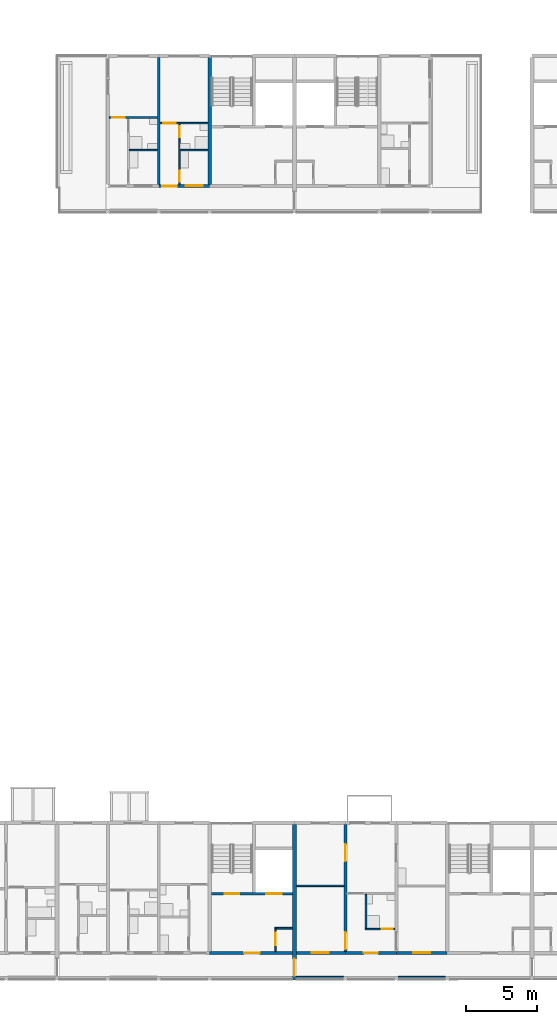
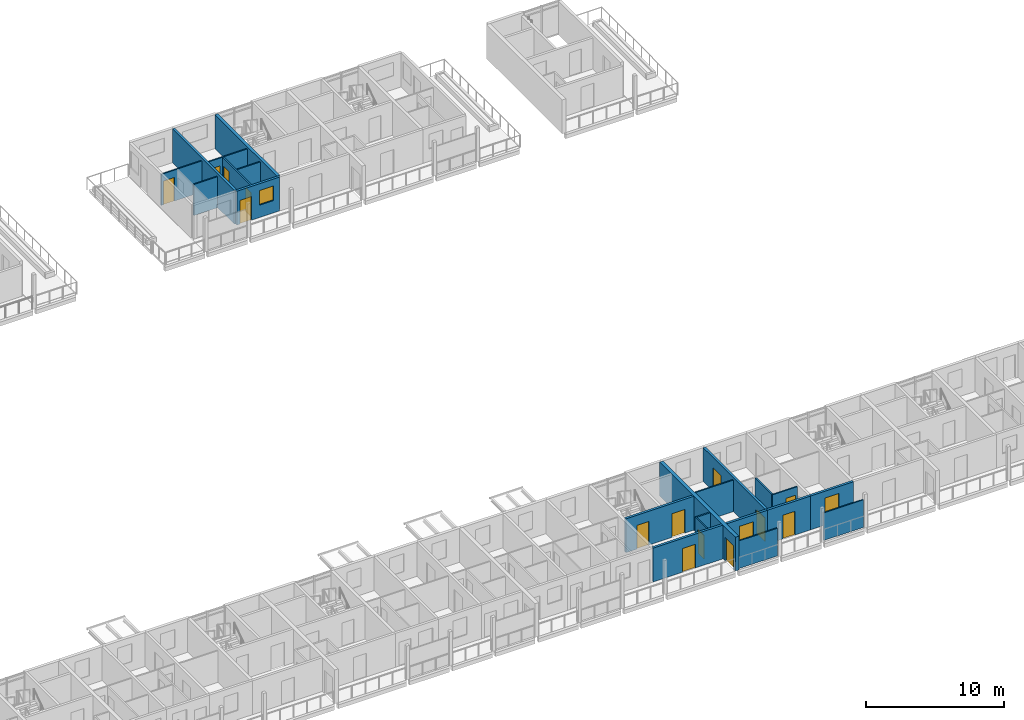
# One storey, part 40 of 94: 22 walls, 14 doors, 3 windows, 17 openings.
"""IFC4 building model written with IfcOpenShell, lengths in metres."""

from ifc_helpers import new_model, si_unit, direction, frame, frame_2d, origin, place, context, subcontext, project, spatial, rectangle, extrude, material, layer, layer_set, type_object, element, fill, save


model = new_model("IFC4")

# Units and contexts
model_context = context("Model", 3, precision=1e-05, world=origin(), true_north=direction((0.0, 1.0)))
body_context = subcontext(model_context, "Body", "Model", "MODEL_VIEW")
ifc_project = project(units=[si_unit("LENGTHUNIT", "METRE"), si_unit("AREAUNIT", "SQUARE_METRE"), si_unit("VOLUMEUNIT", "CUBIC_METRE"), si_unit("PLANEANGLEUNIT", "RADIAN"), si_unit("MASSUNIT", "GRAM", prefix="KILO")], contexts=[model_context])

# Site, building, storey
site_placement = place(None, origin())
site = spatial("IfcSite", under=ifc_project, at=site_placement, CompositionType="ELEMENT")
building_placement = place(site_placement, origin())
building = spatial("IfcBuilding", under=site, at=building_placement, Name="Ridgestep Commons", CompositionType="ELEMENT")
storey_placement = place(building_placement, frame((0.0, 0.0, 24.0)))
storey = spatial("IfcBuildingStorey", under=building, at=storey_placement, Name="L08", CompositionType="ELEMENT", Elevation=24.0)

# Wall
ifc_material_1 = material(Name="Concrete C30/37", Category="concrete")
ifc_layer_1 = layer(ifc_material_1, 0.25)
ifc_layer_set_1 = layer_set([ifc_layer_1], Name="Core cross wall 250")
wall_type_1 = type_object("IfcWallType", Name="Core cross wall 250", PredefinedType="SHEAR", material=ifc_layer_set_1)
wall_1_placement = place(storey_placement, frame((73.199951171875, 68.0, 0.0), z_axis=(0.0, 0.0, 1.0), x_axis=(0.0, 1.0, 0.0)))
element("IfcWall", 1, at=wall_1_placement, inside=storey, type_object=wall_type_1, Name="Cross wall B-08-0732", PredefinedType="SHEAR", context=body_context, shape_type="SweptSolid", body=[
    extrude(rectangle(XDim=9.0, YDim=0.25, at=frame_2d((4.5, 0.0))), origin(), (0.0, 0.0, 1.0), 3.0),
])

# Wall, opening, door
ifc_material_2 = material(Name="Concrete C30/37", Category="concrete")
ifc_layer_2 = layer(ifc_material_2, 0.199951171875)
ifc_layer_set_2 = layer_set([ifc_layer_2], Name="Core south wall 200")
wall_type_2 = type_object("IfcWallType", Name="Core south wall 200", PredefinedType="SHEAR", material=ifc_layer_set_2)
wall_2_placement = place(storey_placement, frame((73.199951171875, 13.64990234375, 0.0), z_axis=(0.0, 0.0, 1.0), x_axis=(1.0, 0.0, 0.0)))
wall_2 = element("IfcWall", 2, at=wall_2_placement, inside=storey, type_object=wall_type_2, Name="Core south wall A4C L08", PredefinedType="SHEAR", context=body_context, shape_type="SweptSolid", body=[
    extrude(rectangle(XDim=5.85009765625, YDim=0.199951171875, at=frame_2d((2.925048828125, 0.0))), origin(), (0.0, 0.0, 1.0), 3.0),
])
opening_1_placement = place(wall_2_placement, frame((2.4375, 0.0, 0.0)))
opening_1 = element("IfcOpeningElement", 3, at=opening_1_placement, cuts=wall_2, Name="Opening A4C/08/1", PredefinedType="OPENING", context=body_context, shape_type="SweptSolid", body=[
    extrude(rectangle(XDim=1.10009765625, YDim=2.10009765625, at=frame_2d((0.550048828125, 1.050048828125))), frame((0.0, 0.10986328125, 0.0), z_axis=(0.0, -1.0, 0.0), x_axis=(1.0, 0.0, 0.0)), (0.0, 0.0, 1.0), 0.219970703125),
])
ifc_material_3 = material(Name="Steel fire door", Category="steel")
door_type_1 = type_object("IfcDoorType", Name="Lobby door 1100 x 2100 FD60", OperationType="NOTDEFINED", PredefinedType="DOOR", material=ifc_material_3)
door_1_placement = place(opening_1_placement, origin())
door_1 = element("IfcDoor", 4, at=door_1_placement, inside=storey, type_object=door_type_1, Name="Lobby door A4C/08/1", OperationType="SINGLE_SWING_LEFT", OverallHeight=2.10009765625, OverallWidth=1.10009765625, PredefinedType="DOOR", context=body_context, shape_type="SweptSolid", body=[
    extrude(rectangle(XDim=1.10009765625, YDim=2.10009765625, at=frame_2d((0.550048828125, 1.050048828125))), frame((0.0, 0.02490234375, 0.0), z_axis=(0.0, -1.0, 0.0), x_axis=(1.0, 0.0, 0.0)), (0.0, 0.0, 1.0), 0.050048828125),
])
fill(opening_1, door_1)

ifc_material_4 = material(Name="Concrete C30/37", Category="concrete")
ifc_layer_3 = layer(ifc_material_4, 0.1201171875)
ifc_layer_set_3 = layer_set([ifc_layer_3], Name="Core wall 120")
wall_type_3 = type_object("IfcWallType", Name="Core wall 120", PredefinedType="SHEAR", material=ifc_layer_set_3)
wall_3_placement = place(storey_placement, frame((77.860107421875, 13.75, 0.0), z_axis=(0.0, 0.0, 1.0), x_axis=(0.0, 1.0, 0.0)))
wall_3 = element("IfcWall", 5, at=wall_3_placement, inside=storey, type_object=wall_type_3, Name="Core riser w wall A4C L08", PredefinedType="SHEAR", context=body_context, shape_type="SweptSolid", body=[
    extrude(rectangle(XDim=1.719970703125, YDim=0.1201171875, at=frame_2d((0.85986328125, 0.0))), origin(), (0.0, 0.0, 1.0), 3.0),
])
opening_2_placement = place(wall_3_placement, frame((0.449951171875, 0.0, 0.0)))
opening_2 = element("IfcOpeningElement", 6, at=opening_2_placement, cuts=wall_3, Name="Opening A4C/08/4", PredefinedType="OPENING", context=body_context, shape_type="SweptSolid", body=[
    extrude(rectangle(XDim=0.89990234375, YDim=2.10009765625, at=frame_2d((0.449951171875, 1.050048828125))), frame((0.0, 0.070068359375, 0.0), z_axis=(0.0, -1.0, 0.0), x_axis=(1.0, 0.0, 0.0)), (0.0, 0.0, 1.0), 0.14013671875),
])
ifc_material_5 = material(Name="Steel fire door", Category="steel")
door_type_2 = type_object("IfcDoorType", Name="Riser door 900 x 2100 FD60", OperationType="NOTDEFINED", PredefinedType="DOOR", material=ifc_material_5)
door_2_placement = place(opening_2_placement, origin())
door_2 = element("IfcDoor", 7, at=door_2_placement, inside=storey, type_object=door_type_2, Name="Riser door A4C/08/4", OperationType="SINGLE_SWING_LEFT", OverallHeight=2.10009765625, OverallWidth=0.89990234375, PredefinedType="DOOR", context=body_context, shape_type="SweptSolid", body=[
    extrude(rectangle(XDim=0.89990234375, YDim=2.10009765625, at=frame_2d((0.449951171875, 1.050048828125))), frame((0.0, 0.02490234375, 0.0), z_axis=(0.0, -1.0, 0.0), x_axis=(1.0, 0.0, 0.0)), (0.0, 0.0, 1.0), 0.050048828125),
])
fill(opening_2, door_2)

# Wall
wall_4_placement = place(storey_placement, frame((77.919921875, 15.409912109375, 0.0), z_axis=(0.0, 0.0, 1.0), x_axis=(1.0, 0.0, 0.0)))
element("IfcWall", 8, at=wall_4_placement, inside=storey, type_object=wall_type_3, Name="Core riser n wall A4C L08", PredefinedType="SHEAR", context=body_context, shape_type="SweptSolid", body=[
    extrude(rectangle(XDim=1.130126953125, YDim=0.1201171875, at=frame_2d((0.56494140625, 0.0))), origin(), (0.0, 0.0, 1.0), 3.0),
])

# Wall, openings, doors
ifc_material_6 = material(Name="Concrete C30/37", Category="concrete")
ifc_layer_4 = layer(ifc_material_6, 0.199951171875)
ifc_layer_set_4 = layer_set([ifc_layer_4], Name="Core wall 200")
wall_type_4 = type_object("IfcWallType", Name="Core wall 200", PredefinedType="SHEAR", material=ifc_layer_set_4)
wall_5_placement = place(storey_placement, frame((73.324951171875, 17.85009765625, 0.0), z_axis=(0.0, 0.0, 1.0), x_axis=(1.0, 0.0, 0.0)))
wall_5 = element("IfcWall", 9, at=wall_5_placement, inside=storey, type_object=wall_type_4, Name="Core lobby wall A4C L08", PredefinedType="SHEAR", context=body_context, shape_type="SweptSolid", body=[
    extrude(rectangle(XDim=5.72509765625, YDim=0.199951171875, at=frame_2d((2.862548828125, 0.0))), origin(), (0.0, 0.0, 1.0), 3.0),
])
opening_3_placement = place(wall_5_placement, frame((0.949951171875, 0.0, 0.0)))
opening_3 = element("IfcOpeningElement", 10, at=opening_3_placement, cuts=wall_5, Name="Opening A4C/08/2", PredefinedType="OPENING", context=body_context, shape_type="SweptSolid", body=[
    extrude(rectangle(XDim=1.0, YDim=2.10009765625, at=frame_2d((0.5, 1.050048828125))), frame((0.0, 0.10986328125, 0.0), z_axis=(0.0, -1.0, 0.0), x_axis=(1.0, 0.0, 0.0)), (0.0, 0.0, 1.0), 0.219970703125),
])
opening_4_placement = place(wall_5_placement, frame((3.862548828125, 0.0, 0.0)))
opening_4 = element("IfcOpeningElement", 11, at=opening_4_placement, cuts=wall_5, Name="Opening A4C/08/3", PredefinedType="OPENING", context=body_context, shape_type="SweptSolid", body=[
    extrude(rectangle(XDim=1.10009765625, YDim=2.10009765625, at=frame_2d((0.550048828125, 1.050048828125))), frame((0.0, 0.10986328125, 0.0), z_axis=(0.0, -1.0, 0.0), x_axis=(1.0, 0.0, 0.0)), (0.0, 0.0, 1.0), 0.219970703125),
])
ifc_material_7 = material(Name="Stainless steel", Category="steel")
door_type_3 = type_object("IfcDoorType", Name="Lift landing door 1100 x 2100 FD60", OperationType="DOUBLE_DOOR_SLIDING", PredefinedType="DOOR", material=ifc_material_7)
door_3_placement = place(opening_4_placement, origin())
door_3 = element("IfcDoor", 12, at=door_3_placement, inside=storey, type_object=door_type_3, Name="Landing door LD A4C L08", OperationType="DOUBLE_DOOR_SLIDING", OverallHeight=2.10009765625, OverallWidth=1.10009765625, PredefinedType="DOOR", context=body_context, shape_type="SweptSolid", body=[
    extrude(rectangle(XDim=1.10009765625, YDim=2.10009765625, at=frame_2d((0.550048828125, 1.050048828125))), frame((0.0, 0.02490234375, 0.0), z_axis=(0.0, -1.0, 0.0), x_axis=(1.0, 0.0, 0.0)), (0.0, 0.0, 1.0), 0.050048828125),
])
fill(opening_4, door_3)
ifc_material_8 = material(Name="Steel fire door", Category="steel")
door_type_4 = type_object("IfcDoorType", Name="Stair door 1000 x 2100 FD60", OperationType="NOTDEFINED", PredefinedType="DOOR", material=ifc_material_8)
door_4_placement = place(opening_3_placement, origin())
door_4 = element("IfcDoor", 13, at=door_4_placement, inside=storey, type_object=door_type_4, Name="Stair door A4C/08/2", OperationType="SINGLE_SWING_RIGHT", OverallHeight=2.10009765625, OverallWidth=1.0, PredefinedType="DOOR", context=body_context, shape_type="SweptSolid", body=[
    extrude(rectangle(XDim=1.0, YDim=2.10009765625, at=frame_2d((0.5, 1.050048828125))), frame((0.0, 0.02490234375, 0.0), z_axis=(0.0, -1.0, 0.0), x_axis=(1.0, 0.0, 0.0)), (0.0, 0.0, 1.0), 0.050048828125),
])
fill(opening_3, door_4)

ifc_material_9 = material(Name="Precast concrete C40/50", Category="concrete")
ifc_layer_5 = layer(ifc_material_9, 0.199951171875)
ifc_layer_set_5 = layer_set([ifc_layer_5], Name="Cross wall 200")
wall_type_5 = type_object("IfcWallType", Name="Cross wall 200", PredefinedType="SHEAR", material=ifc_layer_set_5)
wall_6_placement = place(storey_placement, frame((82.800048828125, 13.75, 0.0), z_axis=(0.0, 0.0, 1.0), x_axis=(0.0, 1.0, 0.0)))
wall_6 = element("IfcWall", 14, at=wall_6_placement, inside=storey, type_object=wall_type_5, Name="Cross wall A-08-0828", PredefinedType="SHEAR", context=body_context, shape_type="SweptSolid", body=[
    extrude(rectangle(XDim=9.0, YDim=0.199951171875, at=frame_2d((4.5, 0.0))), origin(), (0.0, 0.0, 1.0), 3.0),
])
opening_5_placement = place(wall_6_placement, frame((0.175048828125, 0.0, 0.0)))
opening_5 = element("IfcOpeningElement", 15, at=opening_5_placement, cuts=wall_6, Name="Opening A5-08a/4", PredefinedType="OPENING", context=body_context, shape_type="SweptSolid", body=[
    extrude(rectangle(XDim=1.199951171875, YDim=2.10009765625, at=frame_2d((0.60009765625, 1.050048828125))), frame((0.0, 0.10986328125, 0.0), z_axis=(0.0, -1.0, 0.0), x_axis=(1.0, 0.0, 0.0)), (0.0, 0.0, 1.0), 0.219970703125),
])
opening_6_placement = place(wall_6_placement, frame((6.39990234375, 0.0, 0.0)))
opening_6 = element("IfcOpeningElement", 16, at=opening_6_placement, cuts=wall_6, Name="Opening A5-08a/5", PredefinedType="OPENING", context=body_context, shape_type="SweptSolid", body=[
    extrude(rectangle(XDim=1.199951171875, YDim=2.10009765625, at=frame_2d((0.60009765625, 1.050048828125))), frame((0.0, 0.10986328125, 0.0), z_axis=(0.0, -1.0, 0.0), x_axis=(1.0, 0.0, 0.0)), (0.0, 0.0, 1.0), 0.219970703125),
])
ifc_material_10 = material(Name="Timber door leaf", Category="wood")
door_type_5 = type_object("IfcDoorType", Name="Double door 1200 x 2100", OperationType="DOUBLE_DOOR_SINGLE_SWING", PredefinedType="DOOR", material=ifc_material_10)
door_5_placement = place(opening_5_placement, origin())
door_5 = element("IfcDoor", 17, at=door_5_placement, inside=storey, type_object=door_type_5, Name="Double door A5-08a/4", OperationType="DOUBLE_DOOR_SINGLE_SWING", OverallHeight=2.10009765625, OverallWidth=1.199951171875, PredefinedType="DOOR", context=body_context, shape_type="SweptSolid", body=[
    extrude(rectangle(XDim=1.199951171875, YDim=2.10009765625, at=frame_2d((0.60009765625, 1.050048828125))), frame((0.0, 0.02490234375, 0.0), z_axis=(0.0, -1.0, 0.0), x_axis=(1.0, 0.0, 0.0)), (0.0, 0.0, 1.0), 0.050048828125),
])
fill(opening_5, door_5)
door_6_placement = place(opening_6_placement, origin())
door_6 = element("IfcDoor", 18, at=door_6_placement, inside=storey, type_object=door_type_5, Name="Double door A5-08a/5", OperationType="DOUBLE_DOOR_SINGLE_SWING", OverallHeight=2.10009765625, OverallWidth=1.199951171875, PredefinedType="DOOR", context=body_context, shape_type="SweptSolid", body=[
    extrude(rectangle(XDim=1.199951171875, YDim=2.10009765625, at=frame_2d((0.60009765625, 1.050048828125))), frame((0.0, 0.02490234375, 0.0), z_axis=(0.0, -1.0, 0.0), x_axis=(1.0, 0.0, 0.0)), (0.0, 0.0, 1.0), 0.050048828125),
])
fill(opening_6, door_6)

# Wall
wall_7_placement = place(storey_placement, frame((69.60009765625, 68.0, 0.0), z_axis=(0.0, 0.0, 1.0), x_axis=(0.0, 1.0, 0.0)))
element("IfcWall", 19, at=wall_7_placement, inside=storey, type_object=wall_type_5, Name="Cross wall B-08-0696", PredefinedType="SHEAR", context=body_context, shape_type="SweptSolid", body=[
    extrude(rectangle(XDim=9.0, YDim=0.199951171875, at=frame_2d((4.5, 0.0))), origin(), (0.0, 0.0, 1.0), 3.0),
])

# Wall, opening, door
ifc_material_11 = material(Name="Precast concrete C40/50", Category="concrete")
ifc_layer_6 = layer(ifc_material_11, 0.300048828125)
ifc_layer_set_6 = layer_set([ifc_layer_6], Name="Division wall 300")
wall_type_6 = type_object("IfcWallType", Name="Division wall 300", PredefinedType="SHEAR", material=ifc_layer_set_6)
wall_8_placement = place(storey_placement, frame((79.199951171875, 11.75, 0.0), z_axis=(0.0, 0.0, 1.0), x_axis=(0.0, 1.0, 0.0)))
wall_8 = element("IfcWall", 20, at=wall_8_placement, inside=storey, type_object=wall_type_6, Name="Cross wall A-08-0792", PredefinedType="SHEAR", context=body_context, shape_type="SweptSolid", body=[
    extrude(rectangle(XDim=11.0, YDim=0.300048828125, at=frame_2d((5.5, 0.0))), origin(), (0.0, 0.0, 1.0), 3.0),
])
opening_7_placement = place(wall_8_placement, frame((0.300048828125, 0.0, 0.0)))
opening_7 = element("IfcOpeningElement", 21, at=opening_7_placement, cuts=wall_8, Name="Opening A/08/G0792", PredefinedType="OPENING", context=body_context, shape_type="SweptSolid", body=[
    extrude(rectangle(XDim=1.199951171875, YDim=2.10009765625, at=frame_2d((0.60009765625, 1.050048828125))), frame((0.0, 0.159912109375, 0.0), z_axis=(0.0, -1.0, 0.0), x_axis=(1.0, 0.0, 0.0)), (0.0, 0.0, 1.0), 0.320068359375),
])
ifc_material_12 = material(Name="Steel fire door", Category="steel")
door_type_6 = type_object("IfcDoorType", Name="Division fire door 1200 x 2100 EI 240", OperationType="DOUBLE_DOOR_SINGLE_SWING", PredefinedType="DOOR", material=ifc_material_12)
door_7_placement = place(opening_7_placement, origin())
door_7 = element("IfcDoor", 22, at=door_7_placement, inside=storey, type_object=door_type_6, Name="Division fire door A/08/G0792", OperationType="DOUBLE_DOOR_SINGLE_SWING", OverallHeight=2.10009765625, OverallWidth=1.199951171875, PredefinedType="DOOR", context=body_context, shape_type="SweptSolid", body=[
    extrude(rectangle(XDim=1.199951171875, YDim=2.10009765625, at=frame_2d((0.60009765625, 1.050048828125))), frame((0.0, 0.02490234375, 0.0), z_axis=(0.0, -1.0, 0.0), x_axis=(1.0, 0.0, 0.0)), (0.0, 0.0, 1.0), 0.050048828125),
])
fill(opening_7, door_7)

ifc_material_13 = material(Name="Common brick 110 mm", Category="masonry")
ifc_layer_7 = layer(ifc_material_13, 0.110107421875)
ifc_layer_set_7 = layer_set([ifc_layer_7], Name="Partition 110")
wall_type_7 = type_object("IfcWallType", Name="Partition 110", PredefinedType="PARTITIONING", material=ifc_layer_set_7)
wall_9_placement = place(storey_placement, frame((84.199951171875, 15.35498046875, 0.0), z_axis=(0.0, 0.0, 1.0), x_axis=(1.0, 0.0, 0.0)))
wall_9 = element("IfcWall", 23, at=wall_9_placement, inside=storey, type_object=wall_type_7, Name="Partition A5-08a", PredefinedType="PARTITIONING", context=body_context, shape_type="SweptSolid", body=[
    extrude(rectangle(XDim=2.10009765625, YDim=0.110107421875, at=frame_2d((1.050048828125, 0.0))), origin(), (0.0, 0.0, 1.0), 2.800048828125),
])
opening_8_placement = place(wall_9_placement, frame((1.14990234375, 0.0, 0.0)))
opening_8 = element("IfcOpeningElement", 24, at=opening_8_placement, cuts=wall_9, Name="Opening A5-08a/2", PredefinedType="OPENING", context=body_context, shape_type="SweptSolid", body=[
    extrude(rectangle(XDim=0.800048828125, YDim=2.10009765625, at=frame_2d((0.39990234375, 1.050048828125))), frame((0.0, 0.06494140625, 0.0), z_axis=(0.0, -1.0, 0.0), x_axis=(1.0, 0.0, 0.0)), (0.0, 0.0, 1.0), 0.130126953125),
])
ifc_material_14 = material(Name="Timber door leaf", Category="wood")
door_type_7 = type_object("IfcDoorType", Name="Internal door 800 x 2100", OperationType="NOTDEFINED", PredefinedType="DOOR", material=ifc_material_14)
door_8_placement = place(opening_8_placement, origin())
door_8 = element("IfcDoor", 25, at=door_8_placement, inside=storey, type_object=door_type_7, Name="Internal door A5-08a/2", OperationType="SINGLE_SWING_RIGHT", OverallHeight=2.10009765625, OverallWidth=0.800048828125, PredefinedType="DOOR", context=body_context, shape_type="SweptSolid", body=[
    extrude(rectangle(XDim=0.800048828125, YDim=2.10009765625, at=frame_2d((0.39990234375, 1.050048828125))), frame((0.0, 0.02490234375, 0.0), z_axis=(0.0, -1.0, 0.0), x_axis=(1.0, 0.0, 0.0)), (0.0, 0.0, 1.0), 0.050048828125),
])
fill(opening_8, door_8)

# Walls
wall_10_placement = place(storey_placement, frame((84.2548828125, 15.409912109375, 0.0), z_axis=(0.0, 0.0, 1.0), x_axis=(0.0, 1.0, 0.0)))
element("IfcWall", 26, at=wall_10_placement, inside=storey, type_object=wall_type_7, Name="Partition A5-08a", PredefinedType="PARTITIONING", context=body_context, shape_type="SweptSolid", body=[
    extrude(rectangle(XDim=2.400146484375, YDim=0.110107421875, at=frame_2d((1.2001953125, 0.0))), origin(), (0.0, 0.0, 1.0), 2.800048828125),
])
wall_11_placement = place(storey_placement, frame((79.35009765625, 18.405029296875, 0.0), z_axis=(0.0, 0.0, 1.0), x_axis=(1.0, 0.0, 0.0)))
element("IfcWall", 27, at=wall_11_placement, inside=storey, type_object=wall_type_7, Name="Partition A5-08a", PredefinedType="PARTITIONING", context=body_context, shape_type="SweptSolid", body=[
    extrude(rectangle(XDim=3.349853515625, YDim=0.110107421875, at=frame_2d((1.6748046875, 0.0))), origin(), (0.0, 0.0, 1.0), 2.800048828125),
])
wall_12_placement = place(storey_placement, frame((67.510009765625, 70.455078125, 0.0), z_axis=(0.0, 0.0, 1.0), x_axis=(1.0, 0.0, 0.0)))
element("IfcWall", 28, at=wall_12_placement, inside=storey, type_object=wall_type_7, Name="Partition B4-08a", PredefinedType="PARTITIONING", context=body_context, shape_type="SweptSolid", body=[
    extrude(rectangle(XDim=1.989990234375, YDim=0.110107421875, at=frame_2d((0.9951171875, 0.0))), origin(), (0.0, 0.0, 1.0), 2.75),
])

# Wall, opening, door
wall_13_placement = place(storey_placement, frame((66.10009765625, 72.7548828125, 0.0), z_axis=(0.0, 0.0, 1.0), x_axis=(1.0, 0.0, 0.0)))
wall_13 = element("IfcWall", 29, at=wall_13_placement, inside=storey, type_object=wall_type_7, Name="Partition B4-08a", PredefinedType="PARTITIONING", context=body_context, shape_type="SweptSolid", body=[
    extrude(rectangle(XDim=3.39990234375, YDim=0.110107421875, at=frame_2d((1.699951171875, 0.0))), origin(), (0.0, 0.0, 1.0), 2.75),
])
opening_9_placement = place(wall_13_placement, frame((0.199951171875, 0.0, 0.0)))
opening_9 = element("IfcOpeningElement", 30, at=opening_9_placement, cuts=wall_13, Name="Opening B4-08a/4", PredefinedType="OPENING", context=body_context, shape_type="SweptSolid", body=[
    extrude(rectangle(XDim=0.89990234375, YDim=2.10009765625, at=frame_2d((0.449951171875, 1.050048828125))), frame((0.0, 0.06494140625, 0.0), z_axis=(0.0, -1.0, 0.0), x_axis=(1.0, 0.0, 0.0)), (0.0, 0.0, 1.0), 0.130126953125),
])
ifc_material_15 = material(Name="Timber door leaf", Category="wood")
door_type_8 = type_object("IfcDoorType", Name="Internal door 900 x 2100", OperationType="NOTDEFINED", PredefinedType="DOOR", material=ifc_material_15)
door_9_placement = place(opening_9_placement, origin())
door_9 = element("IfcDoor", 31, at=door_9_placement, inside=storey, type_object=door_type_8, Name="Internal door B4-08a/4", OperationType="SINGLE_SWING_RIGHT", OverallHeight=2.10009765625, OverallWidth=0.89990234375, PredefinedType="DOOR", context=body_context, shape_type="SweptSolid", body=[
    extrude(rectangle(XDim=0.89990234375, YDim=2.10009765625, at=frame_2d((0.449951171875, 1.050048828125))), frame((0.0, 0.02490234375, 0.0), z_axis=(0.0, -1.0, 0.0), x_axis=(1.0, 0.0, 0.0)), (0.0, 0.0, 1.0), 0.050048828125),
])
fill(opening_9, door_9)

# Wall, openings, doors
wall_14_placement = place(storey_placement, frame((71.054931640625, 68.0, 0.0), z_axis=(0.0, 0.0, 1.0), x_axis=(0.0, 1.0, 0.0)))
wall_14 = element("IfcWall", 32, at=wall_14_placement, inside=storey, type_object=wall_type_7, Name="Partition B4-08b", PredefinedType="PARTITIONING", context=body_context, shape_type="SweptSolid", body=[
    extrude(rectangle(XDim=4.300048828125, YDim=0.110107421875, at=frame_2d((2.14990234375, 0.0))), origin(), (0.0, 0.0, 1.0), 2.800048828125),
])
opening_10_placement = place(wall_14_placement, frame((0.199951171875, 0.0, 0.0)))
opening_10 = element("IfcOpeningElement", 33, at=opening_10_placement, cuts=wall_14, Name="Opening B4-08b/2", PredefinedType="OPENING", context=body_context, shape_type="SweptSolid", body=[
    extrude(rectangle(XDim=0.800048828125, YDim=2.10009765625, at=frame_2d((0.39990234375, 1.050048828125))), frame((0.0, 0.06494140625, 0.0), z_axis=(0.0, -1.0, 0.0), x_axis=(1.0, 0.0, 0.0)), (0.0, 0.0, 1.0), 0.130126953125),
])
opening_11_placement = place(wall_14_placement, frame((3.35009765625, 0.0, 0.0)))
opening_11 = element("IfcOpeningElement", 34, at=opening_11_placement, cuts=wall_14, Name="Opening B4-08b/3", PredefinedType="OPENING", context=body_context, shape_type="SweptSolid", body=[
    extrude(rectangle(XDim=0.800048828125, YDim=2.10009765625, at=frame_2d((0.39990234375, 1.050048828125))), frame((0.0, 0.06494140625, 0.0), z_axis=(0.0, -1.0, 0.0), x_axis=(1.0, 0.0, 0.0)), (0.0, 0.0, 1.0), 0.130126953125),
])
door_10_placement = place(opening_10_placement, origin())
door_10 = element("IfcDoor", 35, at=door_10_placement, inside=storey, type_object=door_type_7, Name="Internal door B4-08b/2", OperationType="SINGLE_SWING_RIGHT", OverallHeight=2.10009765625, OverallWidth=0.800048828125, PredefinedType="DOOR", context=body_context, shape_type="SweptSolid", body=[
    extrude(rectangle(XDim=0.800048828125, YDim=2.10009765625, at=frame_2d((0.39990234375, 1.050048828125))), frame((0.0, 0.02490234375, 0.0), z_axis=(0.0, -1.0, 0.0), x_axis=(1.0, 0.0, 0.0)), (0.0, 0.0, 1.0), 0.050048828125),
])
fill(opening_10, door_10)
door_11_placement = place(opening_11_placement, origin())
door_11 = element("IfcDoor", 36, at=door_11_placement, inside=storey, type_object=door_type_7, Name="Internal door B4-08b/3", OperationType="SINGLE_SWING_LEFT", OverallHeight=2.10009765625, OverallWidth=0.800048828125, PredefinedType="DOOR", context=body_context, shape_type="SweptSolid", body=[
    extrude(rectangle(XDim=0.800048828125, YDim=2.10009765625, at=frame_2d((0.39990234375, 1.050048828125))), frame((0.0, 0.02490234375, 0.0), z_axis=(0.0, -1.0, 0.0), x_axis=(1.0, 0.0, 0.0)), (0.0, 0.0, 1.0), 0.050048828125),
])
fill(opening_11, door_11)

# Wall
wall_15_placement = place(storey_placement, frame((71.110107421875, 70.455078125, 0.0), z_axis=(0.0, 0.0, 1.0), x_axis=(1.0, 0.0, 0.0)))
element("IfcWall", 37, at=wall_15_placement, inside=storey, type_object=wall_type_7, Name="Partition B4-08b", PredefinedType="PARTITIONING", context=body_context, shape_type="SweptSolid", body=[
    extrude(rectangle(XDim=1.96484375, YDim=0.110107421875, at=frame_2d((0.982421875, 0.0))), origin(), (0.0, 0.0, 1.0), 2.800048828125),
])

# Wall, opening, door
wall_16_placement = place(storey_placement, frame((69.699951171875, 72.35498046875, 0.0), z_axis=(0.0, 0.0, 1.0), x_axis=(1.0, 0.0, 0.0)))
wall_16 = element("IfcWall", 38, at=wall_16_placement, inside=storey, type_object=wall_type_7, Name="Partition B4-08b", PredefinedType="PARTITIONING", context=body_context, shape_type="SweptSolid", body=[
    extrude(rectangle(XDim=3.375, YDim=0.110107421875, at=frame_2d((1.6875, 0.0))), origin(), (0.0, 0.0, 1.0), 2.800048828125),
])
opening_12_placement = place(wall_16_placement, frame((0.199951171875, 0.0, 0.0)))
opening_12 = element("IfcOpeningElement", 39, at=opening_12_placement, cuts=wall_16, Name="Opening B4-08b/4", PredefinedType="OPENING", context=body_context, shape_type="SweptSolid", body=[
    extrude(rectangle(XDim=0.89990234375, YDim=2.10009765625, at=frame_2d((0.449951171875, 1.050048828125))), frame((0.0, 0.06494140625, 0.0), z_axis=(0.0, -1.0, 0.0), x_axis=(1.0, 0.0, 0.0)), (0.0, 0.0, 1.0), 0.130126953125),
])
door_12_placement = place(opening_12_placement, origin())
door_12 = element("IfcDoor", 40, at=door_12_placement, inside=storey, type_object=door_type_8, Name="Internal door B4-08b/4", OperationType="SINGLE_SWING_LEFT", OverallHeight=2.10009765625, OverallWidth=0.89990234375, PredefinedType="DOOR", context=body_context, shape_type="SweptSolid", body=[
    extrude(rectangle(XDim=0.89990234375, YDim=2.10009765625, at=frame_2d((0.449951171875, 1.050048828125))), frame((0.0, 0.02490234375, 0.0), z_axis=(0.0, -1.0, 0.0), x_axis=(1.0, 0.0, 0.0)), (0.0, 0.0, 1.0), 0.050048828125),
])
fill(opening_12, door_12)

# Walls
ifc_material_16 = material(Name="Precast concrete C30/37", Category="concrete")
ifc_layer_8 = layer(ifc_material_16, 0.10009765625)
ifc_layer_set_8 = layer_set([ifc_layer_8], Name="Perforated gallery screen 3325 x 2450 x 100")
wall_type_8 = type_object("IfcWallType", Name="Perforated gallery screen 3325 x 2450 x 100", PredefinedType="SOLIDWALL", material=ifc_layer_set_8)
wall_17_placement = place(storey_placement, frame((79.35009765625, 11.949951171875, 0.0), z_axis=(0.0, 0.0, 1.0), x_axis=(1.0, 0.0, 0.0)))
element("IfcWall", 41, at=wall_17_placement, inside=storey, type_object=wall_type_8, Name="Gallery screen A5T1 08", PredefinedType="SOLIDWALL", context=body_context, shape_type="SweptSolid", body=[
    extrude(rectangle(XDim=3.324951171875, YDim=0.10009765625, at=frame_2d((1.66259765625, 0.0))), origin(), (0.0, 0.0, 1.0), 2.449951171875),
])
ifc_material_17 = material(Name="Precast concrete C30/37", Category="concrete")
ifc_layer_9 = layer(ifc_material_17, 0.10009765625)
ifc_layer_set_9 = layer_set([ifc_layer_9], Name="Perforated gallery screen 3350 x 2450 x 100")
wall_type_9 = type_object("IfcWallType", Name="Perforated gallery screen 3350 x 2450 x 100", PredefinedType="SOLIDWALL", material=ifc_layer_set_9)
wall_18_placement = place(storey_placement, frame((86.52490234375, 11.949951171875, 0.0), z_axis=(0.0, 0.0, 1.0), x_axis=(1.0, 0.0, 0.0)))
element("IfcWall", 42, at=wall_18_placement, inside=storey, type_object=wall_type_9, Name="Gallery screen A5T3 08", PredefinedType="SOLIDWALL", context=body_context, shape_type="SweptSolid", body=[
    extrude(rectangle(XDim=3.35009765625, YDim=0.10009765625, at=frame_2d((1.675048828125, 0.0))), origin(), (0.0, 0.0, 1.0), 2.449951171875),
])

# Wall, opening, window
ifc_material_18 = material(Name="Precast concrete C40/50", Category="concrete")
ifc_layer_10 = layer(ifc_material_18, 0.199951171875)
ifc_layer_set_10 = layer_set([ifc_layer_10], Name="South facade panel 200")
wall_type_10 = type_object("IfcWallType", Name="South facade panel 200", PredefinedType="SOLIDWALL", material=ifc_layer_set_10)
wall_19_placement = place(storey_placement, frame((79.35009765625, 13.64990234375, 0.0), z_axis=(0.0, 0.0, 1.0), x_axis=(1.0, 0.0, 0.0)))
wall_19 = element("IfcWall", 43, at=wall_19_placement, inside=storey, type_object=wall_type_10, Name="South panel A5T1 L08", PredefinedType="SOLIDWALL", context=body_context, shape_type="SweptSolid", body=[
    extrude(rectangle(XDim=3.449951171875, YDim=0.199951171875, at=frame_2d((1.72509765625, 0.0))), origin(), (0.0, 0.0, 1.0), 3.0),
])
opening_13_placement = place(wall_19_placement, frame((1.074951171875, 0.0, 0.800048828125)))
opening_13 = element("IfcOpeningElement", 44, at=opening_13_placement, cuts=wall_19, Name="Opening W11", PredefinedType="OPENING", context=body_context, shape_type="SweptSolid", body=[
    extrude(rectangle(XDim=1.199951171875, YDim=1.60009765625, at=frame_2d((0.60009765625, 0.800048828125))), frame((0.0, 0.10986328125, 0.0), z_axis=(0.0, -1.0, 0.0), x_axis=(1.0, 0.0, 0.0)), (0.0, 0.0, 1.0), 0.219970703125),
])
ifc_material_19 = material(Name="Aluminium 6063-T6 and glass", Category="aluminium")
window_type_1 = type_object("IfcWindowType", Name="Flat window 1200 x 1600", PartitioningType="SINGLE_PANEL", PredefinedType="WINDOW", material=ifc_material_19)
window_1_placement = place(opening_13_placement, origin())
window_1 = element("IfcWindow", 45, at=window_1_placement, inside=storey, type_object=window_type_1, Name="Window A5-08a 1", OverallHeight=1.60009765625, OverallWidth=1.199951171875, PartitioningType="SINGLE_PANEL", PredefinedType="WINDOW", context=body_context, shape_type="SweptSolid", body=[
    extrude(rectangle(XDim=1.199951171875, YDim=1.60009765625, at=frame_2d((0.60009765625, 0.800048828125))), frame((0.0, 0.06005859375, 0.0), z_axis=(0.0, -1.0, 0.0), x_axis=(1.0, 0.0, 0.0)), (0.0, 0.0, 1.0), 0.06005859375),
])
fill(opening_13, window_1)

# Wall, opening, door
wall_20_placement = place(storey_placement, frame((82.800048828125, 13.64990234375, 0.0), z_axis=(0.0, 0.0, 1.0), x_axis=(1.0, 0.0, 0.0)))
wall_20 = element("IfcWall", 46, at=wall_20_placement, inside=storey, type_object=wall_type_10, Name="South panel A5T2 L08", PredefinedType="SOLIDWALL", context=body_context, shape_type="SweptSolid", body=[
    extrude(rectangle(XDim=3.599853515625, YDim=0.199951171875, at=frame_2d((1.7998046875, 0.0))), origin(), (0.0, 0.0, 1.0), 3.0),
])
opening_14_placement = place(wall_20_placement, frame((1.300048828125, 0.0, 0.0)))
opening_14 = element("IfcOpeningElement", 47, at=opening_14_placement, cuts=wall_20, Name="Opening A5-08a/1", PredefinedType="OPENING", context=body_context, shape_type="SweptSolid", body=[
    extrude(rectangle(XDim=1.0, YDim=2.10009765625, at=frame_2d((0.5, 1.050048828125))), frame((0.0, 0.10986328125, 0.0), z_axis=(0.0, -1.0, 0.0), x_axis=(1.0, 0.0, 0.0)), (0.0, 0.0, 1.0), 0.219970703125),
])
ifc_material_20 = material(Name="Timber door leaf", Category="wood")
door_type_9 = type_object("IfcDoorType", Name="Flat entrance door 1000 x 2100 FD30S", OperationType="NOTDEFINED", PredefinedType="DOOR", material=ifc_material_20)
door_13_placement = place(opening_14_placement, origin())
door_13 = element("IfcDoor", 48, at=door_13_placement, inside=storey, type_object=door_type_9, Name="Flat entrance door A5-08a/1", OperationType="SINGLE_SWING_LEFT", OverallHeight=2.10009765625, OverallWidth=1.0, PredefinedType="DOOR", context=body_context, shape_type="SweptSolid", body=[
    extrude(rectangle(XDim=1.0, YDim=2.10009765625, at=frame_2d((0.5, 1.050048828125))), frame((0.0, 0.02490234375, 0.0), z_axis=(0.0, -1.0, 0.0), x_axis=(1.0, 0.0, 0.0)), (0.0, 0.0, 1.0), 0.050048828125),
])
fill(opening_14, door_13)

# Wall, opening, window
wall_21_placement = place(storey_placement, frame((86.39990234375, 13.64990234375, 0.0), z_axis=(0.0, 0.0, 1.0), x_axis=(1.0, 0.0, 0.0)))
wall_21 = element("IfcWall", 49, at=wall_21_placement, inside=storey, type_object=wall_type_10, Name="South panel A5T3 L08", PredefinedType="SOLIDWALL", context=body_context, shape_type="SweptSolid", body=[
    extrude(rectangle(XDim=3.60009765625, YDim=0.199951171875, at=frame_2d((1.800048828125, 0.0))), origin(), (0.0, 0.0, 1.0), 3.0),
])
opening_15_placement = place(wall_21_placement, frame((1.1875, 0.0, 0.800048828125)))
opening_15 = element("IfcOpeningElement", 50, at=opening_15_placement, cuts=wall_21, Name="Opening W11", PredefinedType="OPENING", context=body_context, shape_type="SweptSolid", body=[
    extrude(rectangle(XDim=1.199951171875, YDim=1.60009765625, at=frame_2d((0.60009765625, 0.800048828125))), frame((0.0, 0.10986328125, 0.0), z_axis=(0.0, -1.0, 0.0), x_axis=(1.0, 0.0, 0.0)), (0.0, 0.0, 1.0), 0.219970703125),
])
window_2_placement = place(opening_15_placement, origin())
window_2 = element("IfcWindow", 51, at=window_2_placement, inside=storey, type_object=window_type_1, Name="Window A5-08a 3", OverallHeight=1.60009765625, OverallWidth=1.199951171875, PartitioningType="SINGLE_PANEL", PredefinedType="WINDOW", context=body_context, shape_type="SweptSolid", body=[
    extrude(rectangle(XDim=1.199951171875, YDim=1.60009765625, at=frame_2d((0.60009765625, 0.800048828125))), frame((0.0, 0.06005859375, 0.0), z_axis=(0.0, -1.0, 0.0), x_axis=(1.0, 0.0, 0.0)), (0.0, 0.0, 1.0), 0.06005859375),
])
fill(opening_15, window_2)

# Wall, openings, door, window
wall_22_placement = place(storey_placement, frame((69.60009765625, 67.89990234375, 0.0), z_axis=(0.0, 0.0, 1.0), x_axis=(1.0, 0.0, 0.0)))
wall_22 = element("IfcWall", 52, at=wall_22_placement, inside=storey, type_object=wall_type_10, Name="South panel B4T3 L08", PredefinedType="SOLIDWALL", context=body_context, shape_type="SweptSolid", body=[
    extrude(rectangle(XDim=3.599853515625, YDim=0.199951171875, at=frame_2d((1.7998046875, 0.0))), origin(), (0.0, 0.0, 1.0), 3.0),
])
opening_16_placement = place(wall_22_placement, frame((1.892578125, 0.0, 1.10009765625)))
opening_16 = element("IfcOpeningElement", 53, at=opening_16_placement, cuts=wall_22, Name="Opening W08", PredefinedType="OPENING", context=body_context, shape_type="SweptSolid", body=[
    extrude(rectangle(XDim=1.199951171875, YDim=1.300048828125, at=frame_2d((0.60009765625, 0.64990234375))), frame((0.0, 0.10986328125, 0.0), z_axis=(0.0, -1.0, 0.0), x_axis=(1.0, 0.0, 0.0)), (0.0, 0.0, 1.0), 0.219970703125),
])
opening_17_placement = place(wall_22_placement, frame((0.25, 0.0, 0.0)))
opening_17 = element("IfcOpeningElement", 54, at=opening_17_placement, cuts=wall_22, Name="Opening B4-08b/1", PredefinedType="OPENING", context=body_context, shape_type="SweptSolid", body=[
    extrude(rectangle(XDim=1.0, YDim=2.10009765625, at=frame_2d((0.5, 1.050048828125))), frame((0.0, 0.10986328125, 0.0), z_axis=(0.0, -1.0, 0.0), x_axis=(1.0, 0.0, 0.0)), (0.0, 0.0, 1.0), 0.219970703125),
])
door_14_placement = place(opening_17_placement, origin())
door_14 = element("IfcDoor", 55, at=door_14_placement, inside=storey, type_object=door_type_9, Name="Flat entrance door B4-08b/1", OperationType="SINGLE_SWING_LEFT", OverallHeight=2.10009765625, OverallWidth=1.0, PredefinedType="DOOR", context=body_context, shape_type="SweptSolid", body=[
    extrude(rectangle(XDim=1.0, YDim=2.10009765625, at=frame_2d((0.5, 1.050048828125))), frame((0.0, 0.02490234375, 0.0), z_axis=(0.0, -1.0, 0.0), x_axis=(1.0, 0.0, 0.0)), (0.0, 0.0, 1.0), 0.050048828125),
])
fill(opening_17, door_14)
ifc_material_21 = material(Name="Aluminium 6063-T6 and glass", Category="aluminium")
window_type_2 = type_object("IfcWindowType", Name="Flat window 1200 x 1300", PartitioningType="SINGLE_PANEL", PredefinedType="WINDOW", material=ifc_material_21)
window_3_placement = place(opening_16_placement, origin())
window_3 = element("IfcWindow", 56, at=window_3_placement, inside=storey, type_object=window_type_2, Name="Window B4-08b 1", OverallHeight=1.300048828125, OverallWidth=1.199951171875, PartitioningType="SINGLE_PANEL", PredefinedType="WINDOW", context=body_context, shape_type="SweptSolid", body=[
    extrude(rectangle(XDim=1.199951171875, YDim=1.300048828125, at=frame_2d((0.60009765625, 0.64990234375))), frame((0.0, 0.06005859375, 0.0), z_axis=(0.0, -1.0, 0.0), x_axis=(1.0, 0.0, 0.0)), (0.0, 0.0, 1.0), 0.06005859375),
])
fill(opening_16, window_3)

save(model, "model.ifc")
